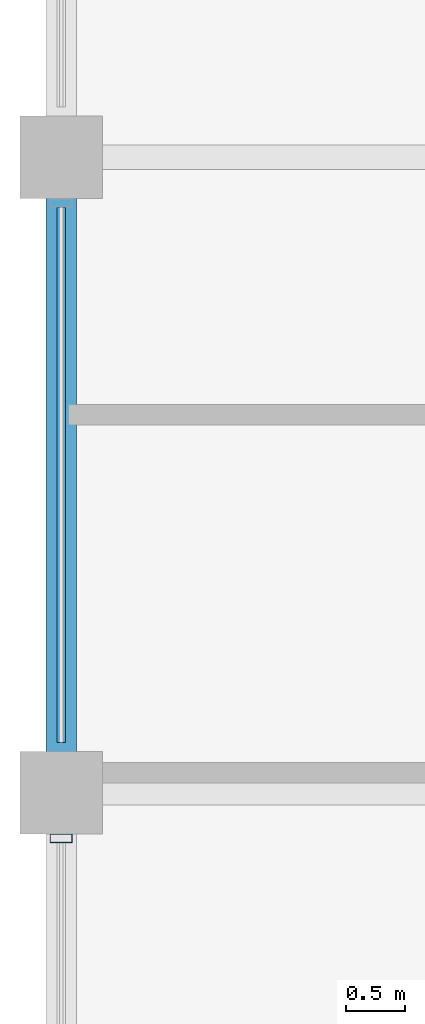
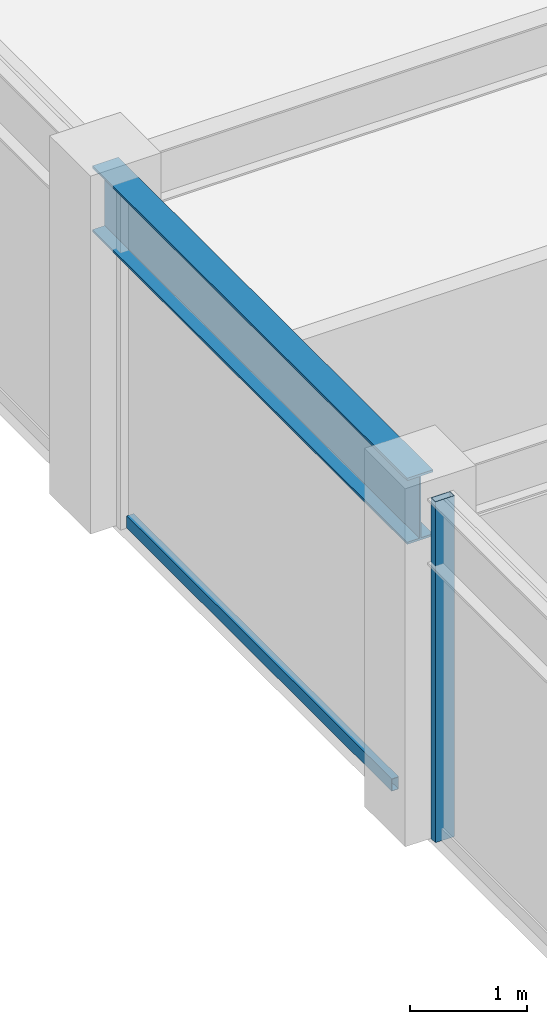
# One storey, part 10 of 30: 2 members, 1 beam, 1 element without a shape of its own.
"""IFC4 building model written with IfcOpenShell, lengths in metres."""

from ifc_helpers import new_model, si_unit, direction, frame, origin, origin_2d, place, context, subcontext, project, spatial, hollow_rectangle, i_section, extrude, material, layer, layer_set, material_profile, profile_set, type_object, element, aggregate, save


model = new_model("IFC4")

# Units and contexts
model_context = context("Model", 3, precision=1e-05, world=origin(), true_north=direction((0.0, 1.0)))
body_context = subcontext(model_context, "Body", "Model", "MODEL_VIEW")
ifc_project = project(units=[si_unit("LENGTHUNIT", "METRE"), si_unit("AREAUNIT", "SQUARE_METRE"), si_unit("VOLUMEUNIT", "CUBIC_METRE"), si_unit("PLANEANGLEUNIT", "RADIAN"), si_unit("MASSUNIT", "GRAM", prefix="KILO")], contexts=[model_context])

# Site, building, storey
site_placement = place(None, origin())
site = spatial("IfcSite", under=ifc_project, at=site_placement, CompositionType="ELEMENT")
building_placement = place(site_placement, origin())
building = spatial("IfcBuilding", under=site, at=building_placement, Name="Surkhivell Harbour Commons", CompositionType="ELEMENT")
storey_placement = place(building_placement, frame((0.0, 0.0, 292.5)))
storey = spatial("IfcBuildingStorey", under=building, at=storey_placement, Name="L76", CompositionType="ELEMENT", Elevation=292.5)

# Beam
ifc_material_1 = material(Name="Steel S355", Category="steel")
ifc_material_profile_1 = material_profile(ifc_material_1, i_section(OverallWidth=0.256103515625, OverallDepth=0.693115234375, WebThickness=0.014404296875, FlangeThickness=0.023681640625, at=origin_2d()), Name="UB686x254x170")
ifc_profile_set_1 = profile_set([ifc_material_profile_1], Name="Steel S355")
beam_type = type_object("IfcBeamType", Name="BM-SPN-686", PredefinedType="SPANDREL", material=ifc_profile_set_1)
beam_placement = place(storey_placement, frame((-27.0, 5.39990234375, 3.223388671875), z_axis=(0.0, 1.0, 0.0), x_axis=(-1.0, 0.0, 0.0)))
element("IfcBeam", 1, at=beam_placement, inside=storey, type_object=beam_type, Name="L76 Tube Spandrel (-27.0,5.4)", PredefinedType="SPANDREL", context=body_context, shape_type="SweptSolid", body=[
    extrude(i_section(OverallWidth=0.256103515625, OverallDepth=0.693115234375, WebThickness=0.014404296875, FlangeThickness=0.023681640625, at=origin_2d()), origin(), (0.0, 0.0, 1.0), 5.400146484375),
])

# Curtain wall, members
ifc_material_2 = material(Name="Anodised pale-metal aluminium and insulated glazing", Category="aluminium")
ifc_layer = layer(ifc_material_2, 0.175048828125)
ifc_layer_set = layer_set([ifc_layer], Name="Anodised pale-metal aluminium and insulated glazing")
curtain_wall_type = type_object("IfcCurtainWallType", Name="CW-SYS-Z4", PredefinedType="NOTDEFINED", material=ifc_layer_set)
curtain_wall_placement = place(storey_placement, origin())
curtain_wall = element("IfcCurtainWall", 2, at=curtain_wall_placement, inside=storey, type_object=curtain_wall_type, Name="L76 Curtain Wall CW-L76-E12S1", PredefinedType="NOTDEFINED")
ifc_material_3 = material(Name="Anodised pale-metal aluminium alloy 6063-T6", Category="aluminium")
ifc_material_profile_2 = material_profile(ifc_material_3, hollow_rectangle(XDim=0.074951171875, YDim=0.18994140625, WallThickness=0.00390625, at=origin_2d()), Name="ALU-MULL-75x190")
ifc_profile_set_2 = profile_set([ifc_material_profile_2], Name="Anodised pale-metal aluminium alloy 6063-T6")
member_type_1 = type_object("IfcMemberType", Name="CWM-190", PredefinedType="MULLION", material=ifc_profile_set_2)
member_1_placement = place(storey_placement, frame((-27.0, 5.010498046875, 0.0), z_axis=(0.0, 0.0, 1.0), x_axis=(0.0, -1.0, 0.0)))
member_1 = element("IfcMember", 3, at=member_1_placement, type_object=member_type_1, Name="CW-Z4 mullion 4", PredefinedType="MULLION", context=body_context, shape_type="SweptSolid", body=[
    extrude(hollow_rectangle(XDim=0.074951171875, YDim=0.18994140625, WallThickness=0.00390625, at=origin_2d()), origin(), (0.0, 0.0, 1.0), 3.570068359375),
])
ifc_material_4 = material(Name="Champagne anodised aluminium alloy 6063-T6", Category="aluminium")
ifc_material_profile_3 = material_profile(ifc_material_4, hollow_rectangle(XDim=0.070068359375, YDim=0.1298828125, WallThickness=0.00341796875, at=origin_2d()), Name="ALU-TRAN-70x130")
ifc_profile_set_3 = profile_set([ifc_material_profile_3], Name="Champagne anodised aluminium alloy 6063-T6")
member_type_2 = type_object("IfcMemberType", Name="CWT-130", PredefinedType="USERDEFINED", material=ifc_profile_set_3)
member_2_placement = place(storey_placement, frame((-27.0, 10.373046875, 0.06494140625), z_axis=(0.0, -1.0, 0.0), x_axis=(1.0, 0.0, 0.0)))
member_2 = element("IfcMember", 4, at=member_2_placement, type_object=member_type_2, Name="CW-Z4 transom 3.1", ObjectType="TRANSOM", PredefinedType="USERDEFINED", context=body_context, shape_type="SweptSolid", body=[
    extrude(hollow_rectangle(XDim=0.070068359375, YDim=0.1298828125, WallThickness=0.00341796875, at=origin_2d()), origin(), (0.0, 0.0, 1.0), 4.546142578125),
])
aggregate(curtain_wall, [member_2, member_1])

save(model, "model.ifc")
